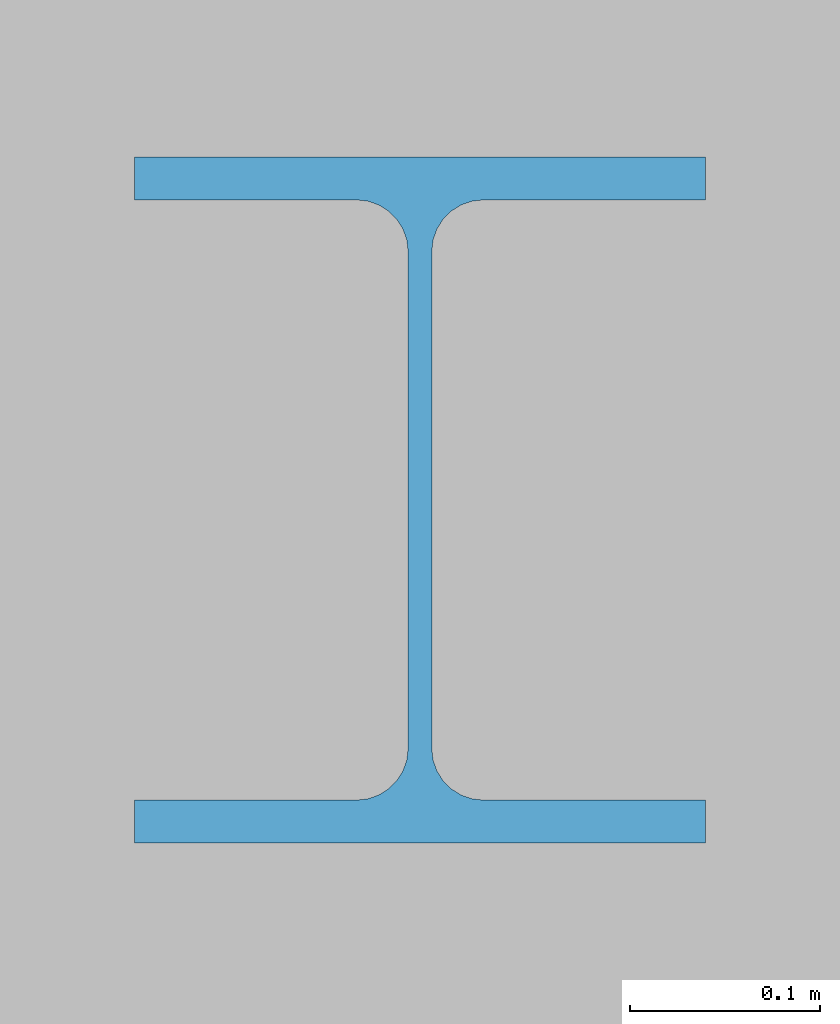
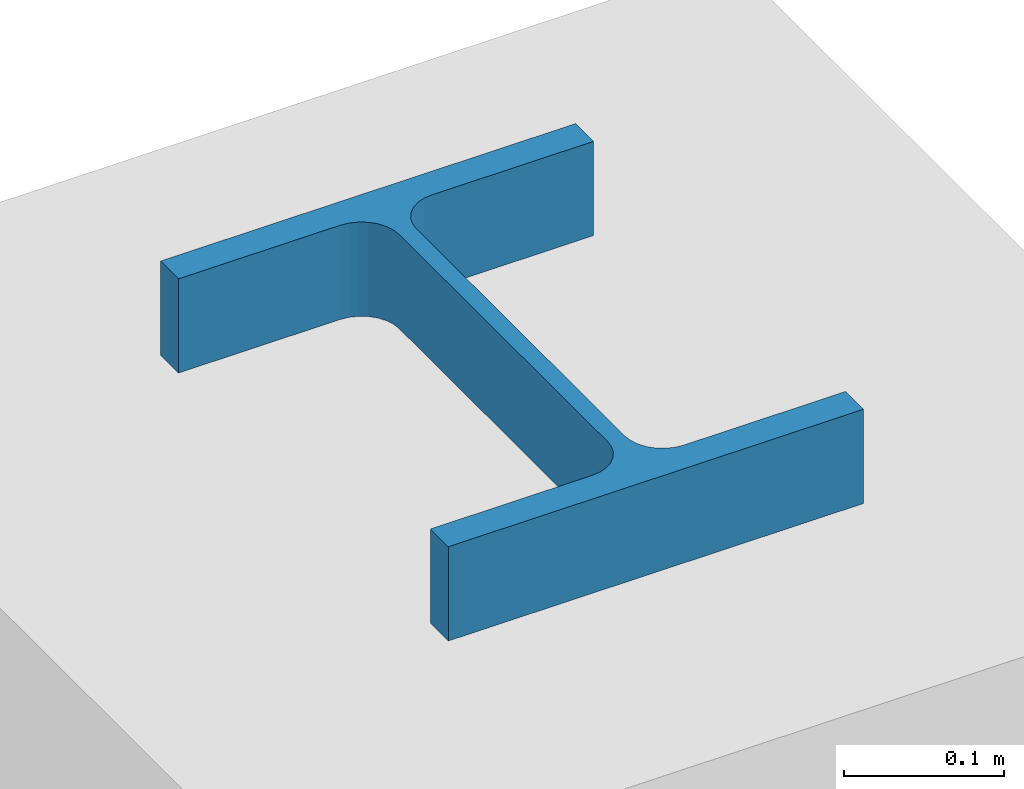
# One storey, part 8 of 68: 1 column.
"""IFC4 building model written with IfcOpenShell, lengths in metres."""

from ifc_helpers import new_model, si_unit, direction, frame, origin, origin_2d, place, context, subcontext, project, spatial, i_section, extrude, material, material_profile, profile_set, type_object, element, save


model = new_model("IFC4")

# Units and contexts
model_context = context("Model", 3, precision=1e-05, world=origin(), true_north=direction((0.0, 1.0)))
body_context = subcontext(model_context, "Body", "Model", "MODEL_VIEW")
ifc_project = project(units=[si_unit("LENGTHUNIT", "METRE"), si_unit("AREAUNIT", "SQUARE_METRE"), si_unit("VOLUMEUNIT", "CUBIC_METRE"), si_unit("PLANEANGLEUNIT", "RADIAN"), si_unit("MASSUNIT", "GRAM", prefix="KILO"), si_unit("THERMODYNAMICTEMPERATUREUNIT", "KELVIN")], contexts=[model_context])

# Site, building, storey
site_placement = place(None, origin())
site = spatial("IfcSite", under=ifc_project, at=site_placement, CompositionType="ELEMENT")
building_placement = place(site_placement, origin())
building = spatial("IfcBuilding", under=site, at=building_placement, Name="Nduvali Passage Aquatics Centre", CompositionType="ELEMENT")
storey_placement = place(building_placement, frame((0.0, 0.0, 13.199951171875)))
storey = spatial("IfcBuildingStorey", under=building, at=storey_placement, Name="L03", CompositionType="ELEMENT", Elevation=13.199951171875)

# Column
ifc_material = material(Name="Steel S355", Category="steel")
ifc_material_profile = material_profile(ifc_material, i_section(OverallWidth=0.300048828125, OverallDepth=0.360107421875, WebThickness=0.012451171875, FlangeThickness=0.0224609375, FilletRadius=0.027099609375, at=origin_2d()), Name="HEB 360")
ifc_profile_set = profile_set([ifc_material_profile], Name="Steel S355")
column_type = type_object("IfcColumnType", Name="STR-COL-HEB360", PredefinedType="COLUMN", material=ifc_profile_set)
column_placement = place(storey_placement, frame((25.199951171875, 84.0, 4.1279296875), z_axis=(0.0, 0.0, 1.0), x_axis=(1.0, 0.0, 0.0)))
element("IfcColumn", 1, at=column_placement, inside=storey, type_object=column_type, Name="L03 Column C7B (25.2, 84.0)", PredefinedType="COLUMN", context=body_context, shape_type="SweptSolid", body=[
    extrude(i_section(OverallWidth=0.300048828125, OverallDepth=0.360107421875, WebThickness=0.012451171875, FlangeThickness=0.0224609375, FilletRadius=0.027099609375, at=origin_2d()), origin(), (0.0, 0.0, 1.0), 0.072021484375),
])

save(model, "model.ifc")
